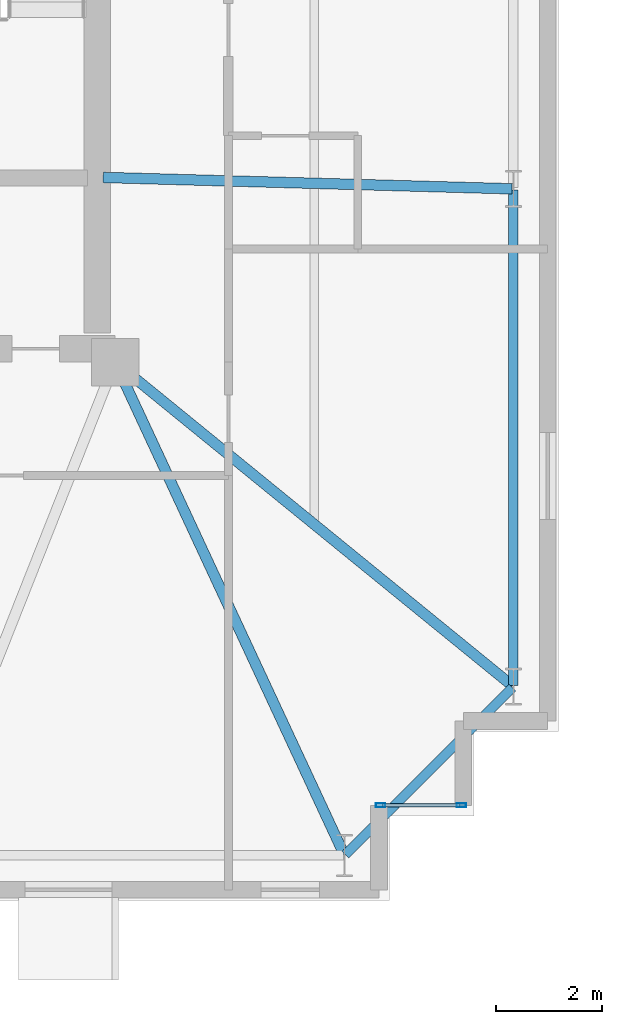
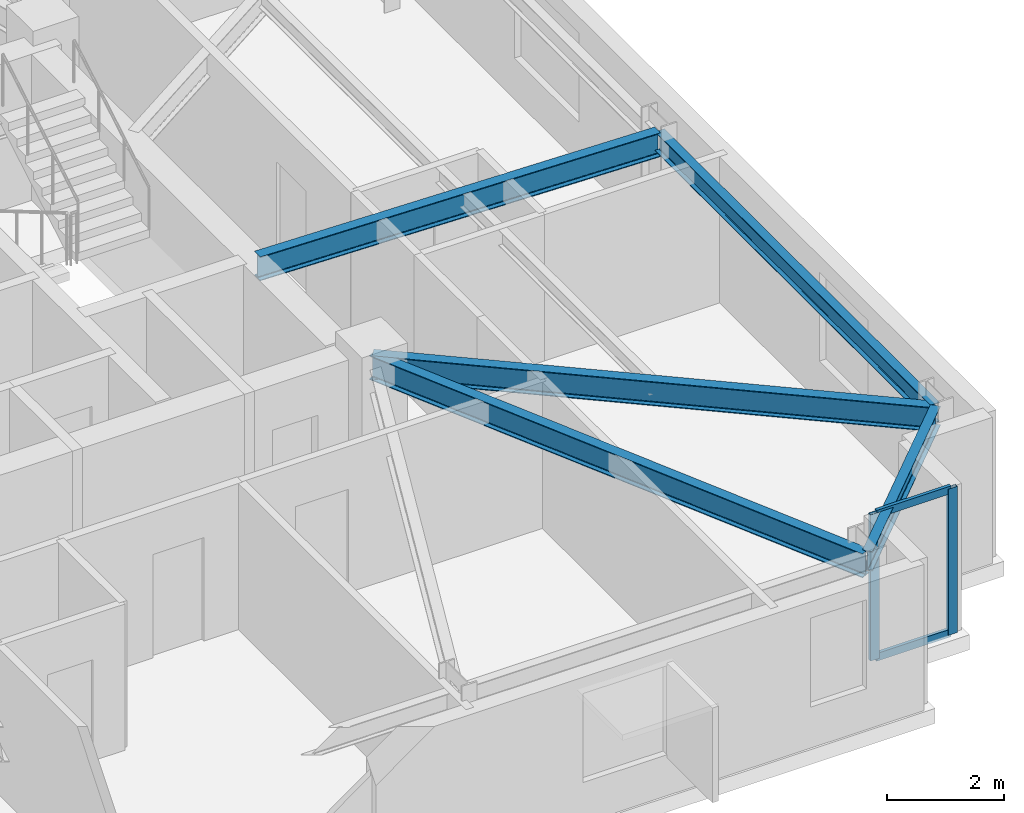
# One storey, part 5 of 18: 5 beams, 4 members, 1 element without a shape of its own.
"""IFC4 building model written with IfcOpenShell, lengths in metres."""

from ifc_helpers import new_model, si_unit, direction, frame, origin, origin_2d, place, context, subcontext, project, spatial, hollow_rectangle, i_section, extrude, material, layer, layer_set, material_profile, profile_set, type_object, element, aggregate, save


model = new_model("IFC4")

# Units and contexts
model_context = context("Model", 3, precision=1e-05, world=origin(), true_north=direction((0.0, 1.0)))
body_context = subcontext(model_context, "Body", "Model", "MODEL_VIEW")
ifc_project = project(units=[si_unit("LENGTHUNIT", "METRE"), si_unit("AREAUNIT", "SQUARE_METRE"), si_unit("VOLUMEUNIT", "CUBIC_METRE"), si_unit("PLANEANGLEUNIT", "RADIAN"), si_unit("MASSUNIT", "GRAM", prefix="KILO")], contexts=[model_context])

# Site, building, storey
site_placement = place(None, origin())
site = spatial("IfcSite", under=ifc_project, at=site_placement, CompositionType="ELEMENT")
building_placement = place(site_placement, origin())
building = spatial("IfcBuilding", under=site, at=building_placement, Name="Qobustan Lattice House", CompositionType="ELEMENT")
storey_placement = place(building_placement, frame((0.0, 0.0, 147.75)))
storey = spatial("IfcBuildingStorey", under=building, at=storey_placement, Name="L41", CompositionType="ELEMENT", Elevation=147.75)

# Beams
ifc_material_1 = material(Name="Steel S355", Category="steel")
ifc_material_profile_1 = material_profile(ifc_material_1, i_section(OverallWidth=0.199951171875, OverallDepth=0.5, WebThickness=0.01025390625, FlangeThickness=0.01611328125, FilletRadius=0.02099609375, at=origin_2d()), Name="IPE500")
ifc_profile_set_1 = profile_set([ifc_material_profile_1], Name="Steel S355")
beam_type_1 = type_object("IfcBeamType", Name="BM-FLG-IPE500", PredefinedType="USERDEFINED", material=ifc_profile_set_1)
beam_1_placement = place(storey_placement, frame((23.139404296875, -14.92724609375, 2.7900390625), z_axis=(-0.421827633168, 0.906676043521, 0.0), x_axis=(-0.906676043521, -0.421827633168, 0.0)))
element("IfcBeam", 1, at=beam_1_placement, inside=storey, type_object=beam_type_1, Name="L41 primary floor girder RAD-S7E", ObjectType="GIRDER", PredefinedType="USERDEFINED", context=body_context, shape_type="SweptSolid", body=[
    extrude(i_section(OverallWidth=0.199951171875, OverallDepth=0.5, WebThickness=0.01025390625, FlangeThickness=0.01611328125, FilletRadius=0.02099609375, at=origin_2d()), origin(), (0.0, 0.0, 1.0), 10.26220703125),
])
beam_2_placement = place(storey_placement, frame((26.324951171875, -2.31591796875, 2.7900390625), z_axis=(-0.999614226396, 0.027774059592, 0.0), x_axis=(-0.027774059592, -0.999614226396, 0.0)))
element("IfcBeam", 2, at=beam_2_placement, inside=storey, type_object=beam_type_1, Name="L41 primary floor girder RAD-E2", ObjectType="GIRDER", PredefinedType="USERDEFINED", context=body_context, shape_type="SweptSolid", body=[
    extrude(i_section(OverallWidth=0.199951171875, OverallDepth=0.5, WebThickness=0.01025390625, FlangeThickness=0.01611328125, FilletRadius=0.02099609375, at=origin_2d()), origin(), (0.0, 0.0, 1.0), 7.7529296875),
])
beam_3_placement = place(storey_placement, frame((26.33056640625, -11.734130859375, 2.7900390625), z_axis=(-0.775328675038, 0.631557951152, 0.0), x_axis=(-0.631557951152, -0.775328675038, 0.0)))
element("IfcBeam", 3, at=beam_3_placement, inside=storey, type_object=beam_type_1, Name="L41 primary floor girder RAD-E1", ObjectType="GIRDER", PredefinedType="USERDEFINED", context=body_context, shape_type="SweptSolid", body=[
    extrude(i_section(OverallWidth=0.199951171875, OverallDepth=0.5, WebThickness=0.01025390625, FlangeThickness=0.01611328125, FilletRadius=0.02099609375, at=origin_2d()), origin(), (0.0, 0.0, 1.0), 9.687744140625),
])
ifc_material_2 = material(Name="Steel S355", Category="steel")
ifc_material_profile_2 = material_profile(ifc_material_2, i_section(OverallWidth=0.179931640625, OverallDepth=0.39990234375, WebThickness=0.008544921875, FlangeThickness=0.013427734375, FilletRadius=0.02099609375, at=origin_2d()), Name="IPE400")
ifc_profile_set_2 = profile_set([ifc_material_profile_2], Name="Steel S355")
beam_type_2 = type_object("IfcBeamType", Name="BM-SPD-IPE400", PredefinedType="SPANDREL", material=ifc_profile_set_2)
beam_4_placement = place(storey_placement, frame((23.167724609375, -14.932373046875, 2.840087890625), z_axis=(0.707079505568, 0.707134055753, 0.0), x_axis=(-0.707134055753, 0.707079505568, 0.0)))
element("IfcBeam", 4, at=beam_4_placement, inside=storey, type_object=beam_type_2, Name="L41 perimeter spandrel S7-E1", PredefinedType="SPANDREL", context=body_context, shape_type="SweptSolid", body=[
    extrude(i_section(OverallWidth=0.179931640625, OverallDepth=0.39990234375, WebThickness=0.008544921875, FlangeThickness=0.013427734375, FilletRadius=0.02099609375, at=origin_2d()), origin(), (0.0, 0.0, 1.0), 4.4755859375),
])
beam_5_placement = place(storey_placement, frame((26.35009765625, -11.72509765625, 2.840087890625), z_axis=(0.0, 1.0, 0.0), x_axis=(-1.0, 0.0, 0.0)))
element("IfcBeam", 5, at=beam_5_placement, inside=storey, type_object=beam_type_2, Name="L41 perimeter spandrel E1-E2", PredefinedType="SPANDREL", context=body_context, shape_type="SweptSolid", body=[
    extrude(i_section(OverallWidth=0.179931640625, OverallDepth=0.39990234375, WebThickness=0.008544921875, FlangeThickness=0.013427734375, FilletRadius=0.02099609375, at=origin_2d()), origin(), (0.0, 0.0, 1.0), 9.38330078125),
])

# Curtain wall, members
ifc_material_3 = material(Name="Anodised aluminium and low-E glazing", Category="aluminium")
ifc_layer = layer(ifc_material_3, 0.219970703125)
ifc_layer_set = layer_set([ifc_layer], Name="Anodised aluminium and low-E glazing")
curtain_wall_type = type_object("IfcCurtainWallType", Name="CW-FAC-02", PredefinedType="USERDEFINED", material=ifc_layer_set)
curtain_wall_placement = place(storey_placement, origin())
curtain_wall = element("IfcCurtainWall", 6, at=curtain_wall_placement, inside=storey, type_object=curtain_wall_type, Name="L41 serrated corner faceted glazing 18", ObjectType="CURTAIN WALL", PredefinedType="USERDEFINED")
ifc_material_4 = material(Name="Anodised aluminium EN AW-6063 T6", Category="aluminium")
ifc_material_profile_3 = material_profile(ifc_material_4, hollow_rectangle(XDim=0.070068359375, YDim=0.179931640625, WallThickness=0.00439453125, at=origin_2d()), Name="CWM-180x70")
ifc_profile_set_3 = profile_set([ifc_material_profile_3], Name="Anodised aluminium EN AW-6063 T6")
member_type_1 = type_object("IfcMemberType", Name="CWM-STD-180", PredefinedType="MULLION", material=ifc_profile_set_3)
member_1_placement = place(storey_placement, frame((25.364990234375, -14.0, 0.0), z_axis=(0.0, 0.0, 1.0), x_axis=(0.0, -1.0, 0.0)))
member_1 = element("IfcMember", 7, at=member_1_placement, type_object=member_type_1, Name="CW-F2 mullion 1", PredefinedType="MULLION", context=body_context, shape_type="SweptSolid", body=[
    extrude(hollow_rectangle(XDim=0.070068359375, YDim=0.179931640625, WallThickness=0.00439453125, at=origin_2d()), origin(), (0.0, 0.0, 1.0), 3.0400390625),
])
member_2_placement = place(storey_placement, frame((23.8349609375, -14.0, 0.0), z_axis=(0.0, 0.0, 1.0), x_axis=(0.0, -1.0, 0.0)))
member_2 = element("IfcMember", 8, at=member_2_placement, type_object=member_type_1, Name="CW-F2 mullion 2", PredefinedType="MULLION", context=body_context, shape_type="SweptSolid", body=[
    extrude(hollow_rectangle(XDim=0.070068359375, YDim=0.179931640625, WallThickness=0.00439453125, at=origin_2d()), origin(), (0.0, 0.0, 1.0), 3.0400390625),
])
ifc_material_5 = material(Name="Anodised aluminium EN AW-6063 T6", Category="aluminium")
ifc_material_profile_4 = material_profile(ifc_material_5, hollow_rectangle(XDim=0.06494140625, YDim=0.159912109375, WallThickness=0.00390625, at=origin_2d()), Name="CWT-160x65")
ifc_profile_set_4 = profile_set([ifc_material_profile_4], Name="Anodised aluminium EN AW-6063 T6")
member_type_2 = type_object("IfcMemberType", Name="CWT-HOR-160", PredefinedType="USERDEFINED", material=ifc_profile_set_4)
member_3_placement = place(storey_placement, frame((25.330078125, -14.0, 0.032470703125), z_axis=(-1.0, 0.0, 0.0), x_axis=(0.0, -1.0, 0.0)))
member_3 = element("IfcMember", 9, at=member_3_placement, type_object=member_type_2, Name="CW-F2 transom 1.1", ObjectType="TRANSOM", PredefinedType="USERDEFINED", context=body_context, shape_type="SweptSolid", body=[
    extrude(hollow_rectangle(XDim=0.06494140625, YDim=0.159912109375, WallThickness=0.00390625, at=origin_2d()), origin(), (0.0, 0.0, 1.0), 1.4599609375),
])
member_4_placement = place(storey_placement, frame((25.330078125, -14.0, 3.007568359375), z_axis=(-1.0, 0.0, 0.0), x_axis=(0.0, -1.0, 0.0)))
member_4 = element("IfcMember", 10, at=member_4_placement, type_object=member_type_2, Name="CW-F2 transom 1.2", ObjectType="TRANSOM", PredefinedType="USERDEFINED", context=body_context, shape_type="SweptSolid", body=[
    extrude(hollow_rectangle(XDim=0.06494140625, YDim=0.159912109375, WallThickness=0.00390625, at=origin_2d()), origin(), (0.0, 0.0, 1.0), 1.4599609375),
])
aggregate(curtain_wall, [member_1, member_2, member_3, member_4])

save(model, "model.ifc")
